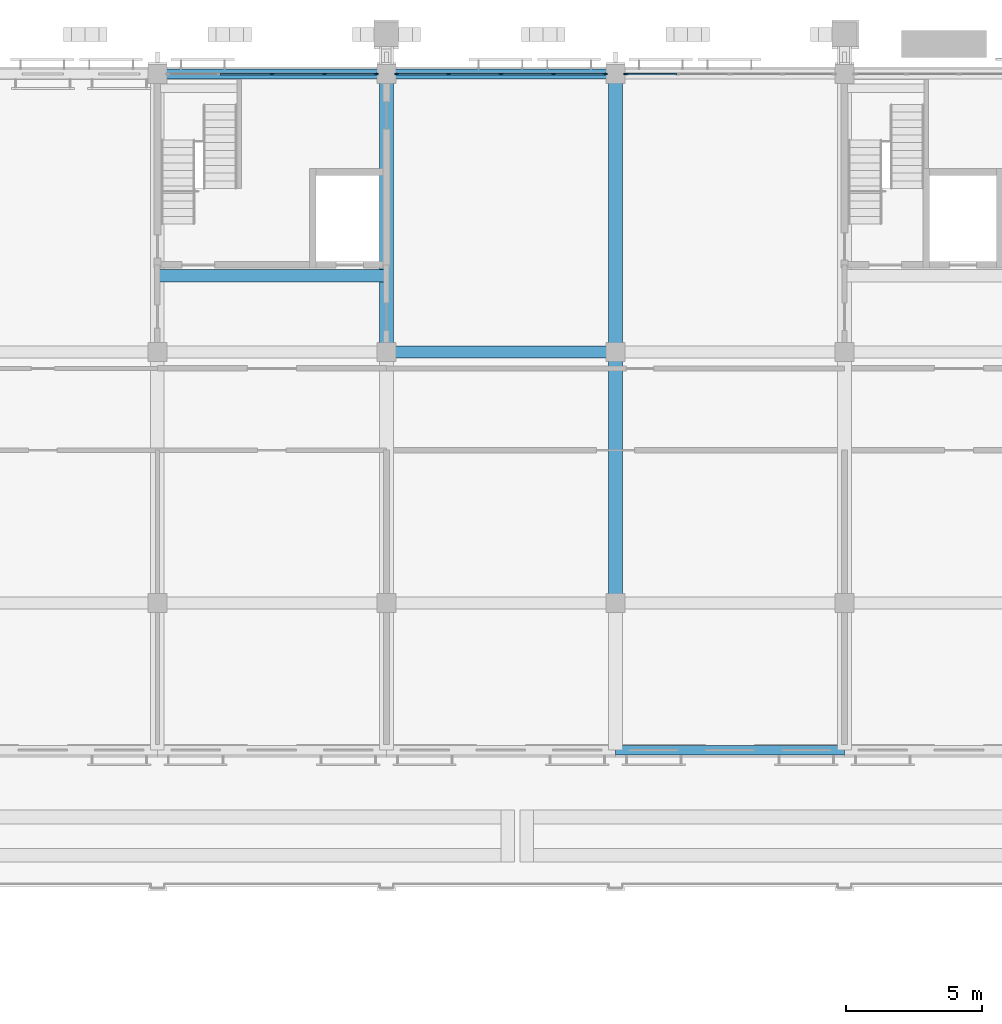
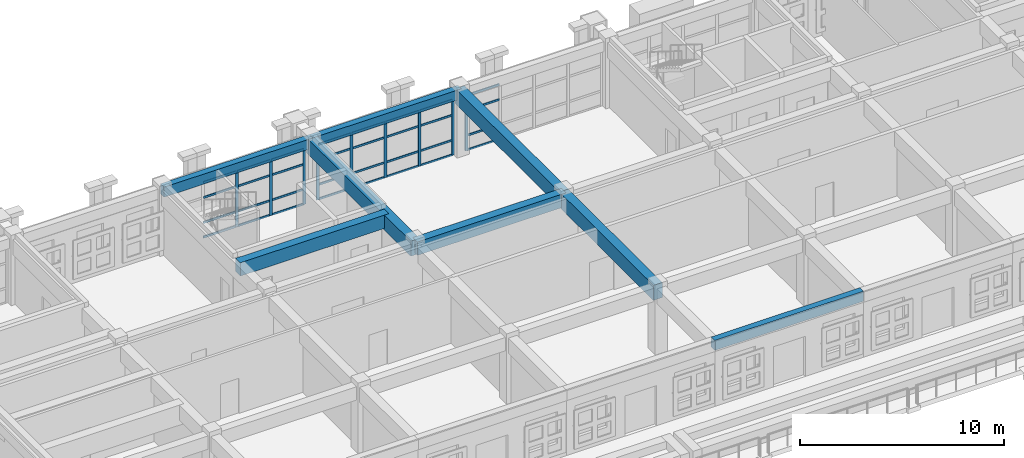
# One storey, part 26 of 99: 41 members, 8 beams, 3 elements without a shape of their own.
"""IFC4 building model written with IfcOpenShell, lengths in metres."""

from ifc_helpers import new_model, si_unit, direction, frame, origin, origin_2d, place, context, subcontext, project, spatial, rectangle, extrude, material, layer, layer_set, material_profile, profile_set, type_object, element, aggregate, save


model = new_model("IFC4")

# Units and contexts
model_context = context("Model", 3, precision=1e-05, world=origin(), true_north=direction((0.0, 1.0)))
body_context = subcontext(model_context, "Body", "Model", "MODEL_VIEW")
ifc_project = project(units=[si_unit("LENGTHUNIT", "METRE"), si_unit("AREAUNIT", "SQUARE_METRE"), si_unit("VOLUMEUNIT", "CUBIC_METRE"), si_unit("PLANEANGLEUNIT", "RADIAN"), si_unit("MASSUNIT", "GRAM", prefix="KILO")], contexts=[model_context])

# Site, building, storey
site_placement = place(None, origin())
site = spatial("IfcSite", under=ifc_project, at=site_placement, CompositionType="ELEMENT")
building_placement = place(site_placement, origin())
building = spatial("IfcBuilding", under=site, at=building_placement, Name="Wasatch Bagh Community Centre", CompositionType="ELEMENT")
storey_placement = place(building_placement, frame((0.0, 0.0, 4.199951171875)))
storey = spatial("IfcBuildingStorey", under=building, at=storey_placement, Name="L01", CompositionType="ELEMENT", Elevation=4.199951171875)

# Beams
ifc_material_1 = material(Name="Concrete C35", Category="concrete")
ifc_material_profile_1 = material_profile(ifc_material_1, rectangle(XDim=0.35009765625, YDim=0.60009765625, at=origin_2d()), Name="RC 350x600")
ifc_profile_set_1 = profile_set([ifc_material_profile_1], Name="Concrete C35")
beam_type_1 = type_object("IfcBeamType", Name="LW RC 350x600", PredefinedType="BEAM", material=ifc_profile_set_1)
beam_1_placement = place(storey_placement, frame((80.800048828125, 97.800048828125, 3.6201171875), z_axis=(1.0, 0.0, 0.0), x_axis=(0.0, 1.0, 0.0)))
element("IfcBeam", 1, at=beam_1_placement, inside=storey, type_object=beam_type_1, Name="W3-W4N", PredefinedType="BEAM", context=body_context, shape_type="SweptSolid", body=[
    extrude(rectangle(XDim=0.35009765625, YDim=0.60009765625, at=origin_2d()), origin(), (0.0, 0.0, 1.0), 8.39990234375),
])
beam_2_placement = place(storey_placement, frame((89.199951171875, 97.800048828125, 3.6201171875), z_axis=(1.0, 0.0, 0.0), x_axis=(0.0, 1.0, 0.0)))
element("IfcBeam", 2, at=beam_2_placement, inside=storey, type_object=beam_type_1, Name="W4-W5N", PredefinedType="BEAM", context=body_context, shape_type="SweptSolid", body=[
    extrude(rectangle(XDim=0.35009765625, YDim=0.60009765625, at=origin_2d()), origin(), (0.0, 0.0, 1.0), 8.400146484375),
])
beam_3_placement = place(storey_placement, frame((97.60009765625, 73.0, 3.6201171875), z_axis=(1.0, 0.0, 0.0), x_axis=(0.0, 1.0, 0.0)))
element("IfcBeam", 3, at=beam_3_placement, inside=storey, type_object=beam_type_1, Name="W5-W6tip", PredefinedType="BEAM", context=body_context, shape_type="SweptSolid", body=[
    extrude(rectangle(XDim=0.35009765625, YDim=0.60009765625, at=origin_2d()), origin(), (0.0, 0.0, 1.0), 8.39990234375),
])
ifc_material_profile_2 = material_profile(ifc_material_1, rectangle(XDim=0.449951171875, YDim=0.800048828125, at=origin_2d()), Name="RC 450x800")
ifc_profile_set_2 = profile_set([ifc_material_profile_2], Name="Concrete C35")
beam_type_2 = type_object("IfcBeamType", Name="LW RC 450x800", PredefinedType="BEAM", material=ifc_profile_set_2)
beam_4_placement = place(storey_placement, frame((89.199951171875, 87.60009765625, 3.52001953125), z_axis=(1.0, 0.0, 0.0), x_axis=(0.0, 1.0, 0.0)))
element("IfcBeam", 4, at=beam_4_placement, inside=storey, type_object=beam_type_2, Name="W4-W5M", PredefinedType="BEAM", context=body_context, shape_type="SweptSolid", body=[
    extrude(rectangle(XDim=0.449951171875, YDim=0.800048828125, at=origin_2d()), origin(), (0.0, 0.0, 1.0), 8.400146484375),
])
beam_5_placement = place(storey_placement, frame((80.800048828125, 90.39990234375, 3.52001953125), z_axis=(1.0, 0.0, 0.0), x_axis=(0.0, 1.0, 0.0)))
element("IfcBeam", 5, at=beam_5_placement, inside=storey, type_object=beam_type_2, Name="C1-transfer", PredefinedType="BEAM", context=body_context, shape_type="SweptSolid", body=[
    extrude(rectangle(XDim=0.449951171875, YDim=0.800048828125, at=origin_2d()), origin(), (0.0, 0.0, 1.0), 8.39990234375),
])
ifc_material_profile_3 = material_profile(ifc_material_1, rectangle(XDim=0.5, YDim=0.89990234375, at=origin_2d()), Name="RC 500x900")
ifc_profile_set_3 = profile_set([ifc_material_profile_3], Name="Concrete C35")
beam_type_3 = type_object("IfcBeamType", Name="LW RC 500x900", PredefinedType="BEAM", material=ifc_profile_set_3)
beam_6_placement = place(storey_placement, frame((89.199951171875, 87.60009765625, 3.469970703125), z_axis=(0.0, 1.0, 0.0), x_axis=(-1.0, 0.0, 0.0)))
element("IfcBeam", 6, at=beam_6_placement, inside=storey, type_object=beam_type_3, Name="W4M-N", PredefinedType="BEAM", context=body_context, shape_type="SweptSolid", body=[
    extrude(rectangle(XDim=0.5, YDim=0.89990234375, at=origin_2d()), origin(), (0.0, 0.0, 1.0), 10.199951171875),
])
beam_7_placement = place(storey_placement, frame((97.60009765625, 78.39990234375, 3.469970703125), z_axis=(0.0, 1.0, 0.0), x_axis=(-1.0, 0.0, 0.0)))
element("IfcBeam", 7, at=beam_7_placement, inside=storey, type_object=beam_type_3, Name="W5S-M", PredefinedType="BEAM", context=body_context, shape_type="SweptSolid", body=[
    extrude(rectangle(XDim=0.5, YDim=0.89990234375, at=origin_2d()), origin(), (0.0, 0.0, 1.0), 9.2001953125),
])
beam_8_placement = place(storey_placement, frame((97.60009765625, 87.60009765625, 3.469970703125), z_axis=(0.0, 1.0, 0.0), x_axis=(-1.0, 0.0, 0.0)))
element("IfcBeam", 8, at=beam_8_placement, inside=storey, type_object=beam_type_3, Name="W5M-N", PredefinedType="BEAM", context=body_context, shape_type="SweptSolid", body=[
    extrude(rectangle(XDim=0.5, YDim=0.89990234375, at=origin_2d()), origin(), (0.0, 0.0, 1.0), 10.199951171875),
])

# Curtain wall, members
ifc_material_2 = material(Name="Aluminium curtain wall frame with low-iron glass", Category="aluminium")
ifc_layer_1 = layer(ifc_material_2, 0.10009765625)
ifc_layer_set_1 = layer_set([ifc_layer_1], Name="Aluminium curtain wall frame with low-iron glass")
curtain_wall_type_1 = type_object("IfcCurtainWallType", Name="LW curtain wall 100", PredefinedType="NOTDEFINED", material=ifc_layer_set_1)
curtain_wall_1_placement = place(storey_placement, origin())
curtain_wall_1 = element("IfcCurtainWall", 9, at=curtain_wall_1_placement, inside=storey, type_object=curtain_wall_type_1, Name="Curtain wall 01.02", PredefinedType="NOTDEFINED")
ifc_material_3 = material(Name="Aluminium extrusion", Category="aluminium")
ifc_material_profile_4 = material_profile(ifc_material_3, rectangle(XDim=0.06005859375, YDim=0.159912109375, at=origin_2d()), Name="AL 60x160")
ifc_profile_set_4 = profile_set([ifc_material_profile_4], Name="Aluminium extrusion")
member_type_1 = type_object("IfcMemberType", Name="LW curtain wall mullion 60x160", PredefinedType="MULLION", material=ifc_profile_set_4)
member_1_placement = place(storey_placement, frame((85.0, 97.800048828125, 0.0), z_axis=(0.0, 0.0, 1.0), x_axis=(0.0, 1.0, 0.0)))
member_1 = element("IfcMember", 10, at=member_1_placement, type_object=member_type_1, Name="LW-CW1 mullion 3", PredefinedType="MULLION", context=body_context, shape_type="SweptSolid", body=[
    extrude(rectangle(XDim=0.06005859375, YDim=0.159912109375, at=origin_2d()), origin(), (0.0, 0.0, 1.0), 3.320068359375),
])
member_2_placement = place(storey_placement, frame((86.925048828125, 97.800048828125, 0.0), z_axis=(0.0, 0.0, 1.0), x_axis=(0.0, 1.0, 0.0)))
member_2 = element("IfcMember", 11, at=member_2_placement, type_object=member_type_1, Name="LW-CW1 mullion 4", PredefinedType="MULLION", context=body_context, shape_type="SweptSolid", body=[
    extrude(rectangle(XDim=0.06005859375, YDim=0.159912109375, at=origin_2d()), origin(), (0.0, 0.0, 1.0), 3.320068359375),
])
member_3_placement = place(storey_placement, frame((88.820068359375, 97.800048828125, 0.0), z_axis=(0.0, 0.0, 1.0), x_axis=(0.0, 1.0, 0.0)))
member_3 = element("IfcMember", 12, at=member_3_placement, type_object=member_type_1, Name="LW-CW1 mullion 5", PredefinedType="MULLION", context=body_context, shape_type="SweptSolid", body=[
    extrude(rectangle(XDim=0.06005859375, YDim=0.159912109375, at=origin_2d()), origin(), (0.0, 0.0, 1.0), 3.320068359375),
])

ifc_layer_2 = layer(ifc_material_2, 0.1201171875)
ifc_layer_set_2 = layer_set([ifc_layer_2], Name="Aluminium curtain wall frame with low-iron glass")
curtain_wall_type_2 = type_object("IfcCurtainWallType", Name="LW study front curtain wall 120", PredefinedType="NOTDEFINED", material=ifc_layer_set_2)
curtain_wall_2_placement = place(storey_placement, origin())
curtain_wall_2 = element("IfcCurtainWall", 13, at=curtain_wall_2_placement, inside=storey, type_object=curtain_wall_type_2, Name="Curtain wall 01.03", PredefinedType="NOTDEFINED")
ifc_material_profile_5 = material_profile(ifc_material_3, rectangle(XDim=0.06005859375, YDim=0.159912109375, at=origin_2d()), Name="AL 60x160")
ifc_profile_set_5 = profile_set([ifc_material_profile_5], Name="Aluminium extrusion")
member_type_2 = type_object("IfcMemberType", Name="LW curtain wall mullion 60x160 LW-CW2", PredefinedType="MULLION", material=ifc_profile_set_5)
member_4_placement = place(storey_placement, frame((89.580078125, 97.800048828125, 0.0), z_axis=(0.0, 0.0, 1.0), x_axis=(0.0, 1.0, 0.0)))
member_4 = element("IfcMember", 14, at=member_4_placement, type_object=member_type_2, Name="LW-CW2 mullion 1", PredefinedType="MULLION", context=body_context, shape_type="SweptSolid", body=[
    extrude(rectangle(XDim=0.06005859375, YDim=0.159912109375, at=origin_2d()), origin(), (0.0, 0.0, 1.0), 3.320068359375),
])
member_5_placement = place(storey_placement, frame((91.47509765625, 97.800048828125, 0.0), z_axis=(0.0, 0.0, 1.0), x_axis=(0.0, 1.0, 0.0)))
member_5 = element("IfcMember", 15, at=member_5_placement, type_object=member_type_2, Name="LW-CW2 mullion 2", PredefinedType="MULLION", context=body_context, shape_type="SweptSolid", body=[
    extrude(rectangle(XDim=0.06005859375, YDim=0.159912109375, at=origin_2d()), origin(), (0.0, 0.0, 1.0), 3.320068359375),
])
member_6_placement = place(storey_placement, frame((93.39990234375, 97.800048828125, 0.0), z_axis=(0.0, 0.0, 1.0), x_axis=(0.0, 1.0, 0.0)))
member_6 = element("IfcMember", 16, at=member_6_placement, type_object=member_type_2, Name="LW-CW2 mullion 3", PredefinedType="MULLION", context=body_context, shape_type="SweptSolid", body=[
    extrude(rectangle(XDim=0.06005859375, YDim=0.159912109375, at=origin_2d()), origin(), (0.0, 0.0, 1.0), 3.320068359375),
])
member_7_placement = place(storey_placement, frame((95.324951171875, 97.800048828125, 0.0), z_axis=(0.0, 0.0, 1.0), x_axis=(0.0, 1.0, 0.0)))
member_7 = element("IfcMember", 17, at=member_7_placement, type_object=member_type_2, Name="LW-CW2 mullion 4", PredefinedType="MULLION", context=body_context, shape_type="SweptSolid", body=[
    extrude(rectangle(XDim=0.06005859375, YDim=0.159912109375, at=origin_2d()), origin(), (0.0, 0.0, 1.0), 3.320068359375),
])
member_8_placement = place(storey_placement, frame((97.219970703125, 97.800048828125, 0.0), z_axis=(0.0, 0.0, 1.0), x_axis=(0.0, 1.0, 0.0)))
member_8 = element("IfcMember", 18, at=member_8_placement, type_object=member_type_2, Name="LW-CW2 mullion 5", PredefinedType="MULLION", context=body_context, shape_type="SweptSolid", body=[
    extrude(rectangle(XDim=0.06005859375, YDim=0.159912109375, at=origin_2d()), origin(), (0.0, 0.0, 1.0), 3.320068359375),
])

# Curtain wall, member
curtain_wall_3_placement = place(storey_placement, origin())
curtain_wall_3 = element("IfcCurtainWall", 19, at=curtain_wall_3_placement, inside=storey, type_object=curtain_wall_type_2, Name="Curtain wall 01.04", PredefinedType="NOTDEFINED")
member_9_placement = place(storey_placement, frame((97.97998046875, 97.800048828125, 0.0), z_axis=(0.0, 0.0, 1.0), x_axis=(0.0, 1.0, 0.0)))
member_9 = element("IfcMember", 20, at=member_9_placement, type_object=member_type_2, Name="LW-CW2 mullion 1", PredefinedType="MULLION", context=body_context, shape_type="SweptSolid", body=[
    extrude(rectangle(XDim=0.06005859375, YDim=0.159912109375, at=origin_2d()), origin(), (0.0, 0.0, 1.0), 3.320068359375),
])

# Member
ifc_material_profile_6 = material_profile(ifc_material_3, rectangle(XDim=0.06005859375, YDim=0.1201171875, at=origin_2d()), Name="AL 60x120")
ifc_profile_set_6 = profile_set([ifc_material_profile_6], Name="Aluminium extrusion")
member_type_3 = type_object("IfcMemberType", Name="LW curtain wall transom 60x120", PredefinedType="USERDEFINED", material=ifc_profile_set_6)
member_10_placement = place(storey_placement, frame((83.10498046875, 97.800048828125, 0.030029296875), z_axis=(1.0, 0.0, 0.0), x_axis=(0.0, 1.0, 0.0)))
member_10 = element("IfcMember", 21, at=member_10_placement, type_object=member_type_3, Name="LW-CW1 transom 2.1", ObjectType="TRANSOM", PredefinedType="USERDEFINED", context=body_context, shape_type="SweptSolid", body=[
    extrude(rectangle(XDim=0.06005859375, YDim=0.1201171875, at=origin_2d()), origin(), (0.0, 0.0, 1.0), 1.864990234375),
])

member_11_placement = place(storey_placement, frame((83.10498046875, 97.800048828125, 0.900146484375), z_axis=(1.0, 0.0, 0.0), x_axis=(0.0, 1.0, 0.0)))
member_11 = element("IfcMember", 22, at=member_11_placement, type_object=member_type_3, Name="LW-CW1 transom 2.2", ObjectType="TRANSOM", PredefinedType="USERDEFINED", context=body_context, shape_type="SweptSolid", body=[
    extrude(rectangle(XDim=0.06005859375, YDim=0.1201171875, at=origin_2d()), origin(), (0.0, 0.0, 1.0), 1.864990234375),
])

member_12_placement = place(storey_placement, frame((83.10498046875, 97.800048828125, 2.400146484375), z_axis=(1.0, 0.0, 0.0), x_axis=(0.0, 1.0, 0.0)))
member_12 = element("IfcMember", 23, at=member_12_placement, type_object=member_type_3, Name="LW-CW1 transom 2.3", ObjectType="TRANSOM", PredefinedType="USERDEFINED", context=body_context, shape_type="SweptSolid", body=[
    extrude(rectangle(XDim=0.06005859375, YDim=0.1201171875, at=origin_2d()), origin(), (0.0, 0.0, 1.0), 1.864990234375),
])

member_13_placement = place(storey_placement, frame((83.10498046875, 97.800048828125, 3.2900390625), z_axis=(1.0, 0.0, 0.0), x_axis=(0.0, 1.0, 0.0)))
member_13 = element("IfcMember", 24, at=member_13_placement, type_object=member_type_3, Name="LW-CW1 transom 2.4", ObjectType="TRANSOM", PredefinedType="USERDEFINED", context=body_context, shape_type="SweptSolid", body=[
    extrude(rectangle(XDim=0.06005859375, YDim=0.1201171875, at=origin_2d()), origin(), (0.0, 0.0, 1.0), 1.864990234375),
])

member_14_placement = place(storey_placement, frame((85.030029296875, 97.800048828125, 0.030029296875), z_axis=(1.0, 0.0, 0.0), x_axis=(0.0, 1.0, 0.0)))
member_14 = element("IfcMember", 25, at=member_14_placement, type_object=member_type_3, Name="LW-CW1 transom 3.1", ObjectType="TRANSOM", PredefinedType="USERDEFINED", context=body_context, shape_type="SweptSolid", body=[
    extrude(rectangle(XDim=0.06005859375, YDim=0.1201171875, at=origin_2d()), origin(), (0.0, 0.0, 1.0), 1.864990234375),
])

member_15_placement = place(storey_placement, frame((85.030029296875, 97.800048828125, 0.900146484375), z_axis=(1.0, 0.0, 0.0), x_axis=(0.0, 1.0, 0.0)))
member_15 = element("IfcMember", 26, at=member_15_placement, type_object=member_type_3, Name="LW-CW1 transom 3.2", ObjectType="TRANSOM", PredefinedType="USERDEFINED", context=body_context, shape_type="SweptSolid", body=[
    extrude(rectangle(XDim=0.06005859375, YDim=0.1201171875, at=origin_2d()), origin(), (0.0, 0.0, 1.0), 1.864990234375),
])

member_16_placement = place(storey_placement, frame((85.030029296875, 97.800048828125, 2.400146484375), z_axis=(1.0, 0.0, 0.0), x_axis=(0.0, 1.0, 0.0)))
member_16 = element("IfcMember", 27, at=member_16_placement, type_object=member_type_3, Name="LW-CW1 transom 3.3", ObjectType="TRANSOM", PredefinedType="USERDEFINED", context=body_context, shape_type="SweptSolid", body=[
    extrude(rectangle(XDim=0.06005859375, YDim=0.1201171875, at=origin_2d()), origin(), (0.0, 0.0, 1.0), 1.864990234375),
])

member_17_placement = place(storey_placement, frame((85.030029296875, 97.800048828125, 3.2900390625), z_axis=(1.0, 0.0, 0.0), x_axis=(0.0, 1.0, 0.0)))
member_17 = element("IfcMember", 28, at=member_17_placement, type_object=member_type_3, Name="LW-CW1 transom 3.4", ObjectType="TRANSOM", PredefinedType="USERDEFINED", context=body_context, shape_type="SweptSolid", body=[
    extrude(rectangle(XDim=0.06005859375, YDim=0.1201171875, at=origin_2d()), origin(), (0.0, 0.0, 1.0), 1.864990234375),
])

member_18_placement = place(storey_placement, frame((86.955078125, 97.800048828125, 0.030029296875), z_axis=(1.0, 0.0, 0.0), x_axis=(0.0, 1.0, 0.0)))
member_18 = element("IfcMember", 29, at=member_18_placement, type_object=member_type_3, Name="LW-CW1 transom 4.1", ObjectType="TRANSOM", PredefinedType="USERDEFINED", context=body_context, shape_type="SweptSolid", body=[
    extrude(rectangle(XDim=0.06005859375, YDim=0.1201171875, at=origin_2d()), origin(), (0.0, 0.0, 1.0), 1.8349609375),
])

member_19_placement = place(storey_placement, frame((86.955078125, 97.800048828125, 0.900146484375), z_axis=(1.0, 0.0, 0.0), x_axis=(0.0, 1.0, 0.0)))
member_19 = element("IfcMember", 30, at=member_19_placement, type_object=member_type_3, Name="LW-CW1 transom 4.2", ObjectType="TRANSOM", PredefinedType="USERDEFINED", context=body_context, shape_type="SweptSolid", body=[
    extrude(rectangle(XDim=0.06005859375, YDim=0.1201171875, at=origin_2d()), origin(), (0.0, 0.0, 1.0), 1.8349609375),
])

member_20_placement = place(storey_placement, frame((86.955078125, 97.800048828125, 2.400146484375), z_axis=(1.0, 0.0, 0.0), x_axis=(0.0, 1.0, 0.0)))
member_20 = element("IfcMember", 31, at=member_20_placement, type_object=member_type_3, Name="LW-CW1 transom 4.3", ObjectType="TRANSOM", PredefinedType="USERDEFINED", context=body_context, shape_type="SweptSolid", body=[
    extrude(rectangle(XDim=0.06005859375, YDim=0.1201171875, at=origin_2d()), origin(), (0.0, 0.0, 1.0), 1.8349609375),
])

member_21_placement = place(storey_placement, frame((86.955078125, 97.800048828125, 3.2900390625), z_axis=(1.0, 0.0, 0.0), x_axis=(0.0, 1.0, 0.0)))
member_21 = element("IfcMember", 32, at=member_21_placement, type_object=member_type_3, Name="LW-CW1 transom 4.4", ObjectType="TRANSOM", PredefinedType="USERDEFINED", context=body_context, shape_type="SweptSolid", body=[
    extrude(rectangle(XDim=0.06005859375, YDim=0.1201171875, at=origin_2d()), origin(), (0.0, 0.0, 1.0), 1.8349609375),
])

aggregate(curtain_wall_1, [member_1, member_2, member_3, member_10, member_11, member_12, member_13, member_14, member_15, member_16, member_17, member_18, member_19, member_20, member_21])

ifc_material_profile_7 = material_profile(ifc_material_3, rectangle(XDim=0.06005859375, YDim=0.1201171875, at=origin_2d()), Name="AL 60x120")
ifc_profile_set_7 = profile_set([ifc_material_profile_7], Name="Aluminium extrusion")
member_type_4 = type_object("IfcMemberType", Name="LW curtain wall transom 60x120 LW-CW2", PredefinedType="USERDEFINED", material=ifc_profile_set_7)
member_22_placement = place(storey_placement, frame((89.610107421875, 97.800048828125, 0.030029296875), z_axis=(1.0, 0.0, 0.0), x_axis=(0.0, 1.0, 0.0)))
member_22 = element("IfcMember", 33, at=member_22_placement, type_object=member_type_4, Name="LW-CW2 transom 1.1", ObjectType="TRANSOM", PredefinedType="USERDEFINED", context=body_context, shape_type="SweptSolid", body=[
    extrude(rectangle(XDim=0.06005859375, YDim=0.1201171875, at=origin_2d()), origin(), (0.0, 0.0, 1.0), 1.8349609375),
])

member_23_placement = place(storey_placement, frame((89.610107421875, 97.800048828125, 0.900146484375), z_axis=(1.0, 0.0, 0.0), x_axis=(0.0, 1.0, 0.0)))
member_23 = element("IfcMember", 34, at=member_23_placement, type_object=member_type_4, Name="LW-CW2 transom 1.2", ObjectType="TRANSOM", PredefinedType="USERDEFINED", context=body_context, shape_type="SweptSolid", body=[
    extrude(rectangle(XDim=0.06005859375, YDim=0.1201171875, at=origin_2d()), origin(), (0.0, 0.0, 1.0), 1.8349609375),
])

member_24_placement = place(storey_placement, frame((89.610107421875, 97.800048828125, 2.400146484375), z_axis=(1.0, 0.0, 0.0), x_axis=(0.0, 1.0, 0.0)))
member_24 = element("IfcMember", 35, at=member_24_placement, type_object=member_type_4, Name="LW-CW2 transom 1.3", ObjectType="TRANSOM", PredefinedType="USERDEFINED", context=body_context, shape_type="SweptSolid", body=[
    extrude(rectangle(XDim=0.06005859375, YDim=0.1201171875, at=origin_2d()), origin(), (0.0, 0.0, 1.0), 1.8349609375),
])

member_25_placement = place(storey_placement, frame((89.610107421875, 97.800048828125, 3.2900390625), z_axis=(1.0, 0.0, 0.0), x_axis=(0.0, 1.0, 0.0)))
member_25 = element("IfcMember", 36, at=member_25_placement, type_object=member_type_4, Name="LW-CW2 transom 1.4", ObjectType="TRANSOM", PredefinedType="USERDEFINED", context=body_context, shape_type="SweptSolid", body=[
    extrude(rectangle(XDim=0.06005859375, YDim=0.1201171875, at=origin_2d()), origin(), (0.0, 0.0, 1.0), 1.8349609375),
])

member_26_placement = place(storey_placement, frame((91.5048828125, 97.800048828125, 0.030029296875), z_axis=(1.0, 0.0, 0.0), x_axis=(0.0, 1.0, 0.0)))
member_26 = element("IfcMember", 37, at=member_26_placement, type_object=member_type_4, Name="LW-CW2 transom 2.1", ObjectType="TRANSOM", PredefinedType="USERDEFINED", context=body_context, shape_type="SweptSolid", body=[
    extrude(rectangle(XDim=0.06005859375, YDim=0.1201171875, at=origin_2d()), origin(), (0.0, 0.0, 1.0), 1.865234375),
])

member_27_placement = place(storey_placement, frame((91.5048828125, 97.800048828125, 0.900146484375), z_axis=(1.0, 0.0, 0.0), x_axis=(0.0, 1.0, 0.0)))
member_27 = element("IfcMember", 38, at=member_27_placement, type_object=member_type_4, Name="LW-CW2 transom 2.2", ObjectType="TRANSOM", PredefinedType="USERDEFINED", context=body_context, shape_type="SweptSolid", body=[
    extrude(rectangle(XDim=0.06005859375, YDim=0.1201171875, at=origin_2d()), origin(), (0.0, 0.0, 1.0), 1.865234375),
])

member_28_placement = place(storey_placement, frame((91.5048828125, 97.800048828125, 2.400146484375), z_axis=(1.0, 0.0, 0.0), x_axis=(0.0, 1.0, 0.0)))
member_28 = element("IfcMember", 39, at=member_28_placement, type_object=member_type_4, Name="LW-CW2 transom 2.3", ObjectType="TRANSOM", PredefinedType="USERDEFINED", context=body_context, shape_type="SweptSolid", body=[
    extrude(rectangle(XDim=0.06005859375, YDim=0.1201171875, at=origin_2d()), origin(), (0.0, 0.0, 1.0), 1.865234375),
])

member_29_placement = place(storey_placement, frame((91.5048828125, 97.800048828125, 3.2900390625), z_axis=(1.0, 0.0, 0.0), x_axis=(0.0, 1.0, 0.0)))
member_29 = element("IfcMember", 40, at=member_29_placement, type_object=member_type_4, Name="LW-CW2 transom 2.4", ObjectType="TRANSOM", PredefinedType="USERDEFINED", context=body_context, shape_type="SweptSolid", body=[
    extrude(rectangle(XDim=0.06005859375, YDim=0.1201171875, at=origin_2d()), origin(), (0.0, 0.0, 1.0), 1.865234375),
])

member_30_placement = place(storey_placement, frame((93.429931640625, 97.800048828125, 0.030029296875), z_axis=(1.0, 0.0, 0.0), x_axis=(0.0, 1.0, 0.0)))
member_30 = element("IfcMember", 41, at=member_30_placement, type_object=member_type_4, Name="LW-CW2 transom 3.1", ObjectType="TRANSOM", PredefinedType="USERDEFINED", context=body_context, shape_type="SweptSolid", body=[
    extrude(rectangle(XDim=0.06005859375, YDim=0.1201171875, at=origin_2d()), origin(), (0.0, 0.0, 1.0), 1.864990234375),
])

member_31_placement = place(storey_placement, frame((93.429931640625, 97.800048828125, 0.900146484375), z_axis=(1.0, 0.0, 0.0), x_axis=(0.0, 1.0, 0.0)))
member_31 = element("IfcMember", 42, at=member_31_placement, type_object=member_type_4, Name="LW-CW2 transom 3.2", ObjectType="TRANSOM", PredefinedType="USERDEFINED", context=body_context, shape_type="SweptSolid", body=[
    extrude(rectangle(XDim=0.06005859375, YDim=0.1201171875, at=origin_2d()), origin(), (0.0, 0.0, 1.0), 1.864990234375),
])

member_32_placement = place(storey_placement, frame((93.429931640625, 97.800048828125, 2.400146484375), z_axis=(1.0, 0.0, 0.0), x_axis=(0.0, 1.0, 0.0)))
member_32 = element("IfcMember", 43, at=member_32_placement, type_object=member_type_4, Name="LW-CW2 transom 3.3", ObjectType="TRANSOM", PredefinedType="USERDEFINED", context=body_context, shape_type="SweptSolid", body=[
    extrude(rectangle(XDim=0.06005859375, YDim=0.1201171875, at=origin_2d()), origin(), (0.0, 0.0, 1.0), 1.864990234375),
])

member_33_placement = place(storey_placement, frame((93.429931640625, 97.800048828125, 3.2900390625), z_axis=(1.0, 0.0, 0.0), x_axis=(0.0, 1.0, 0.0)))
member_33 = element("IfcMember", 44, at=member_33_placement, type_object=member_type_4, Name="LW-CW2 transom 3.4", ObjectType="TRANSOM", PredefinedType="USERDEFINED", context=body_context, shape_type="SweptSolid", body=[
    extrude(rectangle(XDim=0.06005859375, YDim=0.1201171875, at=origin_2d()), origin(), (0.0, 0.0, 1.0), 1.864990234375),
])

member_34_placement = place(storey_placement, frame((95.35498046875, 97.800048828125, 0.030029296875), z_axis=(1.0, 0.0, 0.0), x_axis=(0.0, 1.0, 0.0)))
member_34 = element("IfcMember", 45, at=member_34_placement, type_object=member_type_4, Name="LW-CW2 transom 4.1", ObjectType="TRANSOM", PredefinedType="USERDEFINED", context=body_context, shape_type="SweptSolid", body=[
    extrude(rectangle(XDim=0.06005859375, YDim=0.1201171875, at=origin_2d()), origin(), (0.0, 0.0, 1.0), 1.8349609375),
])

member_35_placement = place(storey_placement, frame((95.35498046875, 97.800048828125, 0.900146484375), z_axis=(1.0, 0.0, 0.0), x_axis=(0.0, 1.0, 0.0)))
member_35 = element("IfcMember", 46, at=member_35_placement, type_object=member_type_4, Name="LW-CW2 transom 4.2", ObjectType="TRANSOM", PredefinedType="USERDEFINED", context=body_context, shape_type="SweptSolid", body=[
    extrude(rectangle(XDim=0.06005859375, YDim=0.1201171875, at=origin_2d()), origin(), (0.0, 0.0, 1.0), 1.8349609375),
])

member_36_placement = place(storey_placement, frame((95.35498046875, 97.800048828125, 2.400146484375), z_axis=(1.0, 0.0, 0.0), x_axis=(0.0, 1.0, 0.0)))
member_36 = element("IfcMember", 47, at=member_36_placement, type_object=member_type_4, Name="LW-CW2 transom 4.3", ObjectType="TRANSOM", PredefinedType="USERDEFINED", context=body_context, shape_type="SweptSolid", body=[
    extrude(rectangle(XDim=0.06005859375, YDim=0.1201171875, at=origin_2d()), origin(), (0.0, 0.0, 1.0), 1.8349609375),
])

member_37_placement = place(storey_placement, frame((95.35498046875, 97.800048828125, 3.2900390625), z_axis=(1.0, 0.0, 0.0), x_axis=(0.0, 1.0, 0.0)))
member_37 = element("IfcMember", 48, at=member_37_placement, type_object=member_type_4, Name="LW-CW2 transom 4.4", ObjectType="TRANSOM", PredefinedType="USERDEFINED", context=body_context, shape_type="SweptSolid", body=[
    extrude(rectangle(XDim=0.06005859375, YDim=0.1201171875, at=origin_2d()), origin(), (0.0, 0.0, 1.0), 1.8349609375),
])

aggregate(curtain_wall_2, [member_4, member_5, member_6, member_7, member_8, member_22, member_23, member_24, member_25, member_26, member_27, member_28, member_29, member_30, member_31, member_32, member_33, member_34, member_35, member_36, member_37])

member_38_placement = place(storey_placement, frame((98.010009765625, 97.800048828125, 0.030029296875), z_axis=(1.0, 0.0, 0.0), x_axis=(0.0, 1.0, 0.0)))
member_38 = element("IfcMember", 49, at=member_38_placement, type_object=member_type_4, Name="LW-CW2 transom 1.1", ObjectType="TRANSOM", PredefinedType="USERDEFINED", context=body_context, shape_type="SweptSolid", body=[
    extrude(rectangle(XDim=0.06005859375, YDim=0.1201171875, at=origin_2d()), origin(), (0.0, 0.0, 1.0), 1.8349609375),
])

member_39_placement = place(storey_placement, frame((98.010009765625, 97.800048828125, 0.900146484375), z_axis=(1.0, 0.0, 0.0), x_axis=(0.0, 1.0, 0.0)))
member_39 = element("IfcMember", 50, at=member_39_placement, type_object=member_type_4, Name="LW-CW2 transom 1.2", ObjectType="TRANSOM", PredefinedType="USERDEFINED", context=body_context, shape_type="SweptSolid", body=[
    extrude(rectangle(XDim=0.06005859375, YDim=0.1201171875, at=origin_2d()), origin(), (0.0, 0.0, 1.0), 1.8349609375),
])

member_40_placement = place(storey_placement, frame((98.010009765625, 97.800048828125, 2.400146484375), z_axis=(1.0, 0.0, 0.0), x_axis=(0.0, 1.0, 0.0)))
member_40 = element("IfcMember", 51, at=member_40_placement, type_object=member_type_4, Name="LW-CW2 transom 1.3", ObjectType="TRANSOM", PredefinedType="USERDEFINED", context=body_context, shape_type="SweptSolid", body=[
    extrude(rectangle(XDim=0.06005859375, YDim=0.1201171875, at=origin_2d()), origin(), (0.0, 0.0, 1.0), 1.8349609375),
])

member_41_placement = place(storey_placement, frame((98.010009765625, 97.800048828125, 3.2900390625), z_axis=(1.0, 0.0, 0.0), x_axis=(0.0, 1.0, 0.0)))
member_41 = element("IfcMember", 52, at=member_41_placement, type_object=member_type_4, Name="LW-CW2 transom 1.4", ObjectType="TRANSOM", PredefinedType="USERDEFINED", context=body_context, shape_type="SweptSolid", body=[
    extrude(rectangle(XDim=0.06005859375, YDim=0.1201171875, at=origin_2d()), origin(), (0.0, 0.0, 1.0), 1.8349609375),
])

aggregate(curtain_wall_3, [member_9, member_38, member_39, member_40, member_41])

save(model, "model.ifc")
